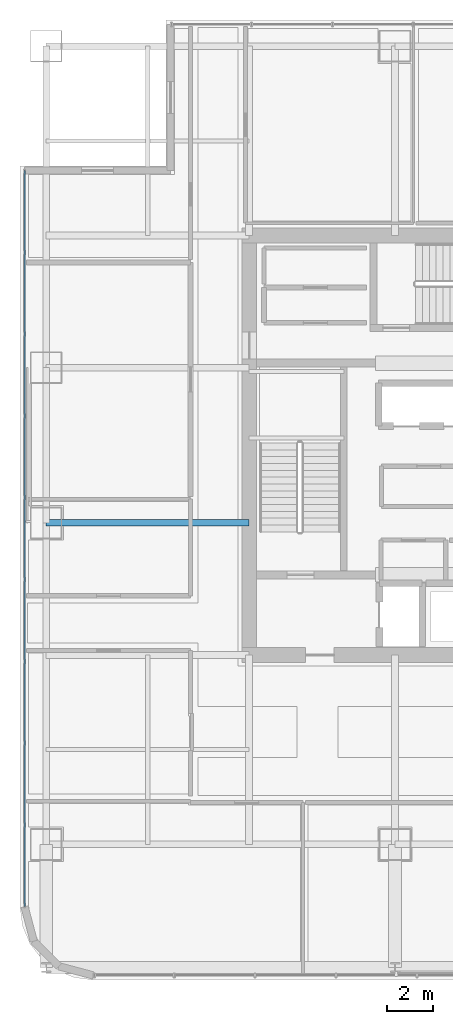
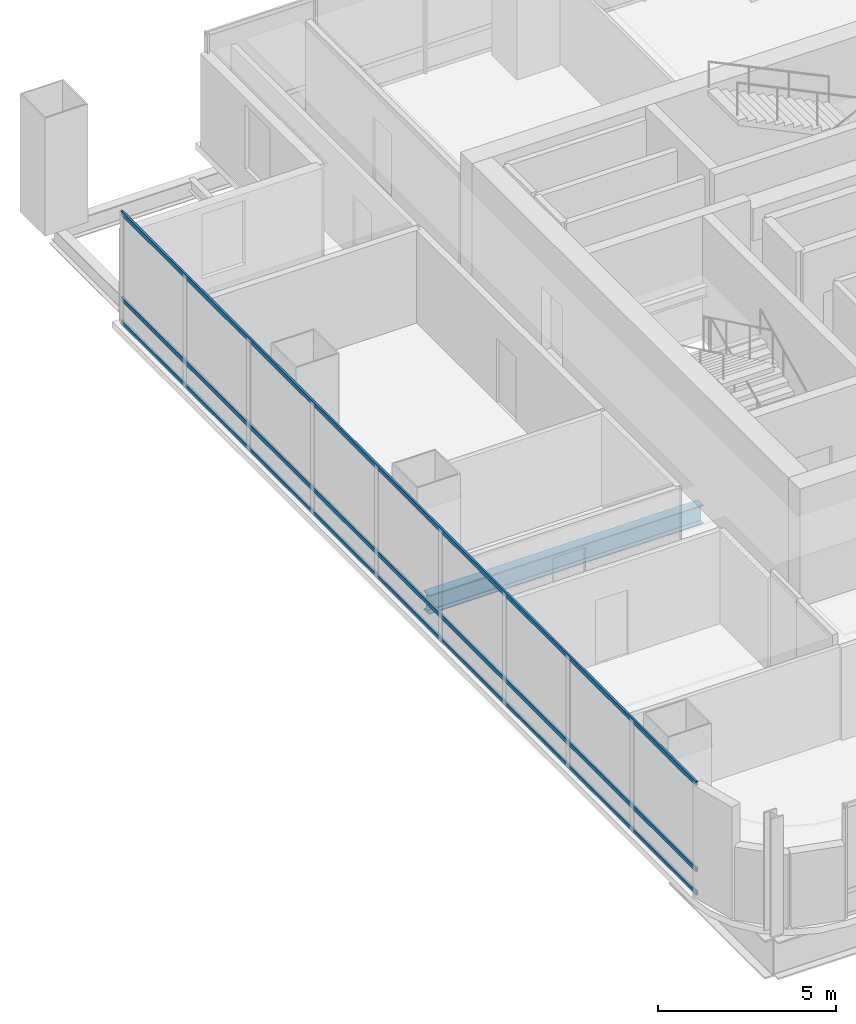
# One storey, part 10 of 37: 3 members, 1 beam, 1 element without a shape of its own.
"""IFC4 building model written with IfcOpenShell, lengths in metres."""

from ifc_helpers import new_model, si_unit, direction, frame, origin, origin_2d, place, context, subcontext, project, spatial, hollow_rectangle, i_section, extrude, material, material_profile, profile_set, type_object, element, aggregate, save


model = new_model("IFC4")

# Units and contexts
model_context = context("Model", 3, precision=1e-05, world=origin(), true_north=direction((0.0, 1.0)))
body_context = subcontext(model_context, "Body", "Model", "MODEL_VIEW")
ifc_project = project(units=[si_unit("LENGTHUNIT", "METRE"), si_unit("AREAUNIT", "SQUARE_METRE"), si_unit("VOLUMEUNIT", "CUBIC_METRE"), si_unit("PLANEANGLEUNIT", "RADIAN"), si_unit("MASSUNIT", "GRAM", prefix="KILO")], contexts=[model_context])

# Site, building, storey
site_placement = place(None, origin())
site = spatial("IfcSite", under=ifc_project, at=site_placement, CompositionType="ELEMENT")
building_placement = place(site_placement, origin())
building = spatial("IfcBuilding", under=site, at=building_placement, Name="Punatoya Terracotta Tower", CompositionType="ELEMENT")
storey_placement = place(building_placement, frame((0.0, 0.0, 224.85009765625)))
storey = spatial("IfcBuildingStorey", under=building, at=storey_placement, Name="L53", CompositionType="ELEMENT", Elevation=224.85009765625)

# Beam
ifc_material_1 = material(Name="Steel S355", Category="steel")
ifc_material_profile_1 = material_profile(ifc_material_1, i_section(OverallWidth=0.300048828125, OverallDepth=0.64990234375, WebThickness=0.01611328125, FlangeThickness=0.031005859375, FilletRadius=0.01806640625, at=origin_2d()))
ifc_profile_set_1 = profile_set([ifc_material_profile_1], Name="Steel S355")
beam_type = type_object("IfcBeamType", Name="BM-PRI-650", PredefinedType="BEAM", material=ifc_profile_set_1)
beam_placement = place(storey_placement, frame((-19.10009765625, -3.39990234375, -0.545166015625), z_axis=(1.0, 0.0, 0.0), x_axis=(0.0, 1.0, 0.0)))
element("IfcBeam", 1, at=beam_placement, inside=storey, type_object=beam_type, Name="BM-L53-PR-WD", PredefinedType="BEAM", context=body_context, shape_type="SweptSolid", body=[
    extrude(i_section(OverallWidth=0.300048828125, OverallDepth=0.64990234375, WebThickness=0.01611328125, FlangeThickness=0.031005859375, FilletRadius=0.01806640625, at=origin_2d()), origin(), (0.0, 0.0, 1.0), 8.900146484375),
])

# Curtain wall, members
ifc_material_2 = material(Name="Aluminium 6063-T6 + Double Low-E Glass", Category="aluminium")
curtain_wall_type = type_object("IfcCurtainWallType", Name="CW-M2", PredefinedType="NOTDEFINED", material=ifc_material_2)
curtain_wall_placement = place(storey_placement, origin())
curtain_wall = element("IfcCurtainWall", 2, at=curtain_wall_placement, inside=storey, type_object=curtain_wall_type, Name="L53 Curtain Wall CW-L53-W11-1", PredefinedType="NOTDEFINED")
ifc_material_3 = material(Name="Aluminium 6063-T6", Category="aluminium")
ifc_material_profile_2 = material_profile(ifc_material_3, hollow_rectangle(XDim=0.068115234375, YDim=0.14990234375, WallThickness=0.00390625, at=origin_2d()))
ifc_profile_set_2 = profile_set([ifc_material_profile_2], Name="Aluminium 6063-T6")
member_type = type_object("IfcMemberType", Name="CW-TRN-TYP", PredefinedType="USERDEFINED", material=ifc_profile_set_2)
member_1_placement = place(storey_placement, frame((-20.050048828125, 12.050048828125, 0.039794921875), z_axis=(0.0, -1.0, 0.0), x_axis=(1.0, 0.0, 0.0)))
member_1 = element("IfcMember", 3, at=member_1_placement, type_object=member_type, Name="CW-L53-W11-1 Transom 1", ObjectType="TRANSOM", PredefinedType="USERDEFINED", context=body_context, shape_type="SweptSolid", body=[
    extrude(hollow_rectangle(XDim=0.068115234375, YDim=0.14990234375, WallThickness=0.00390625, at=origin_2d()), origin(), (0.0, 0.0, 1.0), 32.286865234375),
])
member_2_placement = place(storey_placement, frame((-20.050048828125, 12.050048828125, 0.849853515625), z_axis=(0.0, -1.0, 0.0), x_axis=(1.0, 0.0, 0.0)))
member_2 = element("IfcMember", 4, at=member_2_placement, type_object=member_type, Name="CW-L53-W11-1 Transom 2", ObjectType="TRANSOM", PredefinedType="USERDEFINED", context=body_context, shape_type="SweptSolid", body=[
    extrude(hollow_rectangle(XDim=0.068115234375, YDim=0.14990234375, WallThickness=0.00390625, at=origin_2d()), origin(), (0.0, 0.0, 1.0), 32.286865234375),
])
member_3_placement = place(storey_placement, frame((-20.050048828125, 12.050048828125, 3.789794921875), z_axis=(0.0, -1.0, 0.0), x_axis=(1.0, 0.0, 0.0)))
member_3 = element("IfcMember", 5, at=member_3_placement, type_object=member_type, Name="CW-L53-W11-1 Transom 3", ObjectType="TRANSOM", PredefinedType="USERDEFINED", context=body_context, shape_type="SweptSolid", body=[
    extrude(hollow_rectangle(XDim=0.068115234375, YDim=0.14990234375, WallThickness=0.00390625, at=origin_2d()), origin(), (0.0, 0.0, 1.0), 32.286865234375),
])
aggregate(curtain_wall, [member_1, member_2, member_3])

save(model, "model.ifc")
